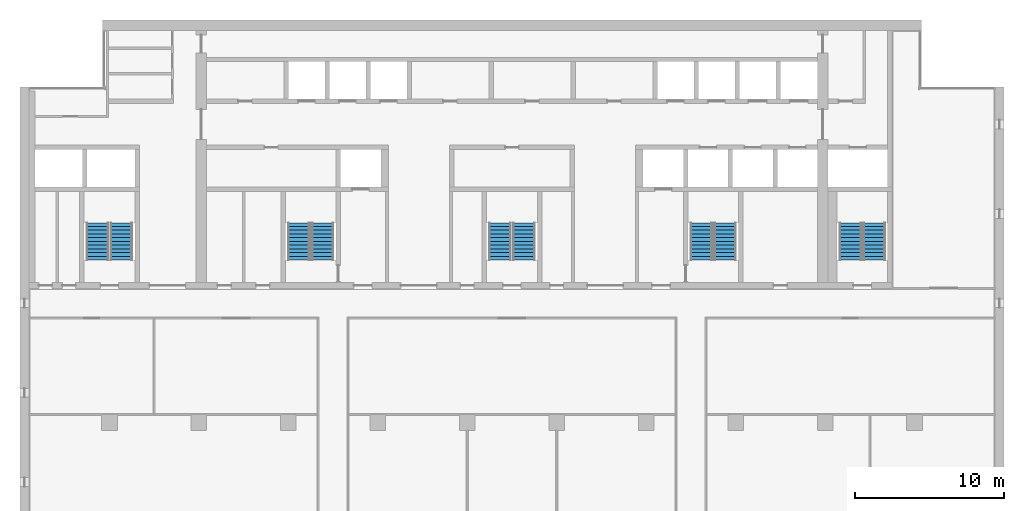
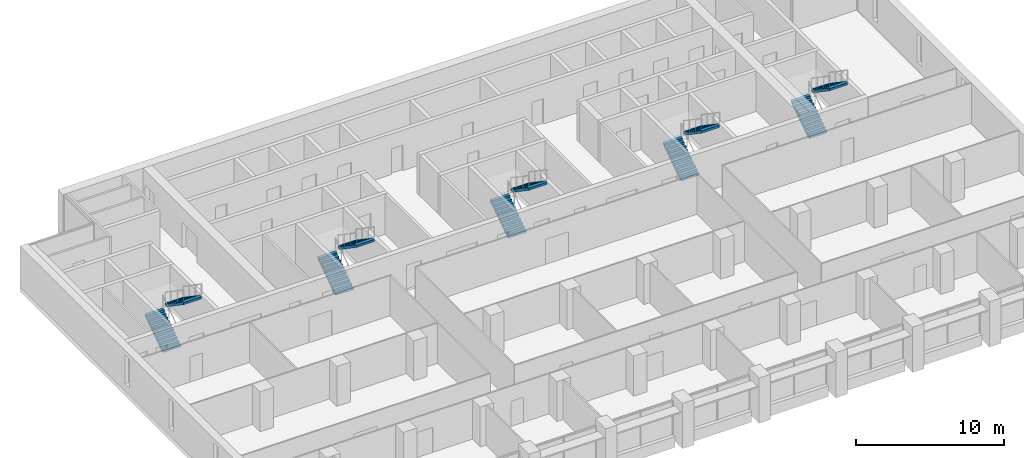
# One storey, part 13 of 17: 10 stair flights, 5 elements without a shape of their own.
"""IFC4 building model written with IfcOpenShell, lengths in metres."""

import ifcopenshell
import ifcopenshell.guid

model = None  # the IFC model being written
_history = None  # IfcOwnerHistory: only IFC2X3 demands one
_inside = {}  # id of a spatial element -> (the spatial element, [elements in it])
_under = {}  # id of a project, library or spatial element -> (it, [spatial elements below it])
_declared = {}  # id of a project -> (the project, [libraries it declares])
_typed = {}  # id of a type object -> (the type object, [elements of that type])
_made_of = {}  # id of a material, layer set ... -> (it, [elements and type objects made of it])


def new_model(schema):
    """Start an empty IFC model of exactly this schema.

    Asked for "IFC4X3", IfcOpenShell would pick the latest addendum, in which some entities
    have other attributes; the version numbers below select the first issue.
    IFC2X3 requires an IfcOwnerHistory on every rooted entity: one is made here for all.
    """
    global model, _history
    if schema == "IFC4X3":
        model = ifcopenshell.file(schema_version=(4, 3, 0, 0))
    else:
        model = ifcopenshell.file(schema=schema)
    _inside.clear()
    _under.clear()
    _declared.clear()
    _typed.clear()
    _made_of.clear()
    _history = None
    if model.schema == "IFC2X3":
        org = make("IfcOrganization", Name="unknown")
        user = make(
            "IfcPersonAndOrganization",
            ThePerson=make("IfcPerson", FamilyName="unknown"),
            TheOrganization=org,
        )
        app = make(
            "IfcApplication",
            ApplicationDeveloper=org,
            Version="unknown",
            ApplicationFullName="unknown",
            ApplicationIdentifier="unknown",
        )
        _history = make(
            "IfcOwnerHistory",
            OwningUser=user,
            OwningApplication=app,
            ChangeAction="ADDED",
            CreationDate=0,
        )
    return model


def make(cls, **values):
    """One entity of the class cls with the attributes given. An attribute that is None is left unset."""
    return model.create_entity(
        cls, **{name: value for name, value in values.items() if value is not None}
    )


def rooted(cls, **values):
    """An entity with a GlobalId (a new one), such as an element, a storey or a relation."""
    return make(cls, GlobalId=ifcopenshell.guid.new(), OwnerHistory=_history, **values)


def si_unit(unit_type, name, prefix=None):
    """IfcSIUnit, for example si_unit("LENGTHUNIT", "METRE", prefix="MILLI")."""
    return make("IfcSIUnit", UnitType=unit_type, Prefix=prefix, Name=name)


def assignment(units):
    """IfcUnitAssignment: the units of a project."""
    return None if units is None else make("IfcUnitAssignment", Units=units)


def point(xyz):
    """IfcCartesianPoint."""
    return None if xyz is None else make("IfcCartesianPoint", Coordinates=xyz)


def direction(xyz):
    """IfcDirection."""
    return None if xyz is None else make("IfcDirection", DirectionRatios=xyz)


def frame(location, z_axis=None, x_axis=None):
    """IfcAxis2Placement3D, a coordinate frame: its origin and axes. An axis left out is left unset."""
    return make(
        "IfcAxis2Placement3D",
        Location=point(location),
        Axis=direction(z_axis),
        RefDirection=direction(x_axis),
    )


def origin():
    """The frame at (0, 0, 0) with its axes left unset."""
    return frame((0.0, 0.0, 0.0))


def place(relative_to, where):
    """IfcLocalPlacement: puts the frame where relative to a parent placement (None: the world)."""
    return make(
        "IfcLocalPlacement", PlacementRelTo=relative_to, RelativePlacement=where
    )


def context(
    kind, dimensions, precision=None, world=None, true_north=None, identifier=None
):
    """IfcGeometricRepresentationContext, for example the 3D "Model" context."""
    return make(
        "IfcGeometricRepresentationContext",
        ContextIdentifier=identifier,
        ContextType=kind,
        CoordinateSpaceDimension=dimensions,
        Precision=precision,
        WorldCoordinateSystem=world,
        TrueNorth=true_north,
    )


def subcontext(parent, identifier, kind, view, scale=None):
    """IfcGeometricRepresentationSubContext, for example "Body" below "Model"."""
    return make(
        "IfcGeometricRepresentationSubContext",
        ContextIdentifier=identifier,
        ContextType=kind,
        ParentContext=parent,
        TargetScale=scale,
        TargetView=view,
    )


def project(units=None, contexts=None):
    """IfcProject with its units and contexts."""
    return rooted(
        "IfcProject",
        Name="project",
        RepresentationContexts=contexts,
        UnitsInContext=assignment(units),
    )


def spatial(cls, under=None, at=None, **own):
    """A site, building, storey or space (cls), placed at a placement, below another one or the project."""
    s = rooted(cls, ObjectPlacement=at, **own)
    if under is not None:
        _under.setdefault(under.id(), (under, []))[1].append(s)
    return s


def polyline(points):
    """IfcPolyline through the points."""
    return make("IfcPolyline", Points=[point(p) for p in points])


def outline(outer, holes=None, kind="AREA"):
    """IfcArbitraryClosedProfileDef: a profile drawn as a closed curve; with holes, ...WithVoids."""
    if holes is None:
        return make("IfcArbitraryClosedProfileDef", ProfileType=kind, OuterCurve=outer)
    return make(
        "IfcArbitraryProfileDefWithVoids",
        ProfileType=kind,
        OuterCurve=outer,
        InnerCurves=holes,
    )


def extrude(swept, where, along, depth):
    """IfcExtrudedAreaSolid: the profile swept, set in the frame where, extruded along a direction by depth."""
    return make(
        "IfcExtrudedAreaSolid",
        SweptArea=swept,
        Position=where,
        ExtrudedDirection=direction(along),
        Depth=depth,
    )


def shape(context_of_items, identifier, shape_type, items):
    """IfcShapeRepresentation: the items that make up one representation, for example the "Body"."""
    return make(
        "IfcShapeRepresentation",
        ContextOfItems=context_of_items,
        RepresentationIdentifier=identifier,
        RepresentationType=shape_type,
        Items=items,
    )


def material(Name=None, Category=None):
    """IfcMaterial."""
    return make("IfcMaterial", Name=Name, Category=Category)


def made_of(thing, what):
    """Note that an element or type object is made of a material, layer set ...; save() writes the relation."""
    if what is not None:
        _made_of.setdefault(what.id(), (what, []))[1].append(thing)
    return thing


def type_object(cls, material=None, **own):
    """A type object (cls), such as IfcWallType, which elements share."""
    return made_of(rooted(cls, **own), material)


def element(
    cls,
    number,
    at=None,
    inside=None,
    cuts=None,
    type_object=None,
    material=None,
    context=None,
    identifier="Body",
    shape_type=None,
    held_by="IfcProductDefinitionShape",
    body=None,
    shapes=None,
    **own,
):
    """One element of the class cls, such as IfcWall. Its Tag is "e" and its number.

    at: its placement. inside: the storey or other place that contains it. cuts: it is an
    opening in that element (IfcRelVoidsElement). A single representation is given by context,
    identifier, shape_type and body (its items); several are given by shapes. held_by: the class
    of the entity that holds the representations. save() writes the other relations.
    """
    e = rooted(cls, Tag="e%d" % number, ObjectPlacement=at, **own)
    if body is not None:
        shapes = [shape(context, identifier, shape_type, body)]
    if shapes is not None:
        e.Representation = make(held_by, Representations=shapes)
    if inside is not None:
        _inside.setdefault(inside.id(), (inside, []))[1].append(e)
    if cuts is not None:
        rooted(
            "IfcRelVoidsElement", RelatingBuildingElement=cuts, RelatedOpeningElement=e
        )
    if type_object is not None:
        _typed.setdefault(type_object.id(), (type_object, []))[1].append(e)
    return made_of(e, material)


def aggregate(whole, parts):
    """IfcRelAggregates: a whole, such as a stair, and the parts it consists of."""
    return rooted("IfcRelAggregates", RelatingObject=whole, RelatedObjects=parts)


def save(model, path):
    """Write the relations noted so far, then the file.

    IfcRelAggregates (storeys below a building ...), IfcRelContainedInSpatialStructure (elements
    in a storey), IfcRelDefinesByType, IfcRelAssociatesMaterial and IfcRelDeclares: one each for
    every whole, place, type object, material and project.
    """
    for whole, parts in _under.values():
        aggregate(whole, parts)
    for where, things in _inside.values():
        rooted(
            "IfcRelContainedInSpatialStructure",
            RelatedElements=things,
            RelatingStructure=where,
        )
    for kind, things in _typed.values():
        rooted("IfcRelDefinesByType", RelatedObjects=things, RelatingType=kind)
    for what, things in _made_of.values():
        rooted("IfcRelAssociatesMaterial", RelatedObjects=things, RelatingMaterial=what)
    for by, libraries in _declared.values():
        rooted("IfcRelDeclares", RelatingContext=by, RelatedDefinitions=libraries)
    model.write(path)


model = new_model("IFC4")

# Units and contexts
model_context = context("Model", 3, precision=1e-05, world=origin(), true_north=direction((0.0, 1.0)))
body_context = subcontext(model_context, "Body", "Model", "MODEL_VIEW")
ifc_project = project(units=[si_unit("LENGTHUNIT", "METRE"), si_unit("AREAUNIT", "SQUARE_METRE"), si_unit("VOLUMEUNIT", "CUBIC_METRE"), si_unit("PLANEANGLEUNIT", "RADIAN"), si_unit("MASSUNIT", "GRAM", prefix="KILO")], contexts=[model_context])

# Site, building, storey
site_placement = place(None, origin())
site = spatial("IfcSite", under=ifc_project, at=site_placement, CompositionType="ELEMENT")
building_placement = place(site_placement, origin())
building = spatial("IfcBuilding", under=site, at=building_placement, Name="Calvaro Tower", CompositionType="ELEMENT")
storey_placement = place(building_placement, frame((0.0, 0.0, 204.25)))
storey = spatial("IfcBuildingStorey", under=building, at=storey_placement, Name="L51", CompositionType="ELEMENT", Elevation=204.25)

# Stair, stair flights
ifc_material_1 = material(Name="Concrete C40/50", Category="concrete")
stair_type = type_object("IfcStairType", Name="Exit stair 1400 2 flights", PredefinedType="HALF_TURN_STAIR", material=ifc_material_1)
stair_1_placement = place(storey_placement, origin())
stair_1 = element("IfcStair", 1, at=stair_1_placement, inside=storey, type_object=stair_type, Name="Exit stair S1", PredefinedType="HALF_TURN_STAIR")
ifc_material_2 = material(Name="Concrete C40/50", Category="concrete")
stair_flight_type = type_object("IfcStairFlightType", Name="Stair flight", PredefinedType="STRAIGHT", material=ifc_material_2)
stair_flight_1_placement = place(storey_placement, frame((11.199951171875, 29.89990234375, 0.0), z_axis=(0.0, 0.0, 1.0), x_axis=(0.0, 1.0, 0.0)))
stair_flight_1 = element("IfcStairFlight", 2, at=stair_flight_1_placement, type_object=stair_flight_type, Name="Exit stair 1, flight 1", NumberOfRisers=11, NumberOfTreads=10, PredefinedType="STRAIGHT", RiserHeight=0.170454545, TreadLength=0.25, context=body_context, shape_type="SweptSolid", body=[
    extrude(outline(polyline([(0.0, 0.0), (0.0, 0.17041015625), (0.25, 0.17041015625), (0.25, 0.3408203125), (0.5, 0.3408203125), (0.5, 0.511474609375), (0.75, 0.511474609375), (0.75, 0.681884765625), (1.0, 0.681884765625), (1.0, 0.852294921875), (1.25, 0.852294921875), (1.25, 1.022705078125), (1.5, 1.022705078125), (1.5, 1.193115234375), (1.75, 1.193115234375), (1.75, 1.363525390625), (2.0, 1.363525390625), (2.0, 1.5341796875), (2.25, 1.5341796875), (2.25, 1.70458984375), (2.5, 1.70458984375), (2.5, 1.875), (2.5, 1.523193359375), (0.26611328125, 0.0), (0.0, 0.0)])), frame((0.0, 0.699951171875, 0.0), z_axis=(0.0, -1.0, 0.0), x_axis=(1.0, 0.0, 0.0)), (0.0, 0.0, 1.0), 1.39990234375),
])
stair_flight_2_placement = place(storey_placement, frame((12.800048828125, 32.39990234375, 1.875), z_axis=(0.0, 0.0, 1.0), x_axis=(0.0, -1.0, 0.0)))
stair_flight_2 = element("IfcStairFlight", 3, at=stair_flight_2_placement, type_object=stair_flight_type, Name="Exit stair 1, flight 2", NumberOfRisers=11, NumberOfTreads=10, PredefinedType="STRAIGHT", RiserHeight=0.170454545, TreadLength=0.25, context=body_context, shape_type="SweptSolid", body=[
    extrude(outline(polyline([(0.0, 0.0), (0.0, 0.17041015625), (0.25, 0.17041015625), (0.25, 0.3408203125), (0.5, 0.3408203125), (0.5, 0.511474609375), (0.75, 0.511474609375), (0.75, 0.681884765625), (1.0, 0.681884765625), (1.0, 0.852294921875), (1.25, 0.852294921875), (1.25, 1.022705078125), (1.5, 1.022705078125), (1.5, 1.193115234375), (1.75, 1.193115234375), (1.75, 1.363525390625), (2.0, 1.363525390625), (2.0, 1.5341796875), (2.25, 1.5341796875), (2.25, 1.70458984375), (2.5, 1.70458984375), (2.5, 1.875), (2.5, 1.523193359375), (0.26611328125, 0.0), (0.0, 0.0)])), frame((0.0, 0.699951171875, 0.0), z_axis=(0.0, -1.0, 0.0), x_axis=(1.0, 0.0, 0.0)), (0.0, 0.0, 1.0), 1.39990234375),
])
aggregate(stair_1, [stair_flight_1, stair_flight_2])

stair_2_placement = place(storey_placement, origin())
stair_2 = element("IfcStair", 4, at=stair_2_placement, inside=storey, type_object=stair_type, Name="Exit stair S2", PredefinedType="HALF_TURN_STAIR")
stair_flight_3_placement = place(storey_placement, frame((24.699951171875, 29.89990234375, 0.0), z_axis=(0.0, 0.0, 1.0), x_axis=(0.0, 1.0, 0.0)))
stair_flight_3 = element("IfcStairFlight", 5, at=stair_flight_3_placement, type_object=stair_flight_type, Name="Exit stair 2, flight 1", NumberOfRisers=11, NumberOfTreads=10, PredefinedType="STRAIGHT", RiserHeight=0.170454545, TreadLength=0.25, context=body_context, shape_type="SweptSolid", body=[
    extrude(outline(polyline([(0.0, 0.0), (0.0, 0.17041015625), (0.25, 0.17041015625), (0.25, 0.3408203125), (0.5, 0.3408203125), (0.5, 0.511474609375), (0.75, 0.511474609375), (0.75, 0.681884765625), (1.0, 0.681884765625), (1.0, 0.852294921875), (1.25, 0.852294921875), (1.25, 1.022705078125), (1.5, 1.022705078125), (1.5, 1.193115234375), (1.75, 1.193115234375), (1.75, 1.363525390625), (2.0, 1.363525390625), (2.0, 1.5341796875), (2.25, 1.5341796875), (2.25, 1.70458984375), (2.5, 1.70458984375), (2.5, 1.875), (2.5, 1.523193359375), (0.26611328125, 0.0), (0.0, 0.0)])), frame((0.0, 0.699951171875, 0.0), z_axis=(0.0, -1.0, 0.0), x_axis=(1.0, 0.0, 0.0)), (0.0, 0.0, 1.0), 1.39990234375),
])
stair_flight_4_placement = place(storey_placement, frame((26.300048828125, 32.39990234375, 1.875), z_axis=(0.0, 0.0, 1.0), x_axis=(0.0, -1.0, 0.0)))
stair_flight_4 = element("IfcStairFlight", 6, at=stair_flight_4_placement, type_object=stair_flight_type, Name="Exit stair 2, flight 2", NumberOfRisers=11, NumberOfTreads=10, PredefinedType="STRAIGHT", RiserHeight=0.170454545, TreadLength=0.25, context=body_context, shape_type="SweptSolid", body=[
    extrude(outline(polyline([(0.0, 0.0), (0.0, 0.17041015625), (0.25, 0.17041015625), (0.25, 0.3408203125), (0.5, 0.3408203125), (0.5, 0.511474609375), (0.75, 0.511474609375), (0.75, 0.681884765625), (1.0, 0.681884765625), (1.0, 0.852294921875), (1.25, 0.852294921875), (1.25, 1.022705078125), (1.5, 1.022705078125), (1.5, 1.193115234375), (1.75, 1.193115234375), (1.75, 1.363525390625), (2.0, 1.363525390625), (2.0, 1.5341796875), (2.25, 1.5341796875), (2.25, 1.70458984375), (2.5, 1.70458984375), (2.5, 1.875), (2.5, 1.523193359375), (0.26611328125, 0.0), (0.0, 0.0)])), frame((0.0, 0.699951171875, 0.0), z_axis=(0.0, -1.0, 0.0), x_axis=(1.0, 0.0, 0.0)), (0.0, 0.0, 1.0), 1.39990234375),
])
aggregate(stair_2, [stair_flight_3, stair_flight_4])

stair_3_placement = place(storey_placement, origin())
stair_3 = element("IfcStair", 7, at=stair_3_placement, inside=storey, type_object=stair_type, Name="Exit stair S3", PredefinedType="HALF_TURN_STAIR")
stair_flight_5_placement = place(storey_placement, frame((38.199951171875, 29.89990234375, 0.0), z_axis=(0.0, 0.0, 1.0), x_axis=(0.0, 1.0, 0.0)))
stair_flight_5 = element("IfcStairFlight", 8, at=stair_flight_5_placement, type_object=stair_flight_type, Name="Exit stair 3, flight 1", NumberOfRisers=11, NumberOfTreads=10, PredefinedType="STRAIGHT", RiserHeight=0.170454545, TreadLength=0.25, context=body_context, shape_type="SweptSolid", body=[
    extrude(outline(polyline([(0.0, 0.0), (0.0, 0.17041015625), (0.25, 0.17041015625), (0.25, 0.3408203125), (0.5, 0.3408203125), (0.5, 0.511474609375), (0.75, 0.511474609375), (0.75, 0.681884765625), (1.0, 0.681884765625), (1.0, 0.852294921875), (1.25, 0.852294921875), (1.25, 1.022705078125), (1.5, 1.022705078125), (1.5, 1.193115234375), (1.75, 1.193115234375), (1.75, 1.363525390625), (2.0, 1.363525390625), (2.0, 1.5341796875), (2.25, 1.5341796875), (2.25, 1.70458984375), (2.5, 1.70458984375), (2.5, 1.875), (2.5, 1.523193359375), (0.26611328125, 0.0), (0.0, 0.0)])), frame((0.0, 0.699951171875, 0.0), z_axis=(0.0, -1.0, 0.0), x_axis=(1.0, 0.0, 0.0)), (0.0, 0.0, 1.0), 1.39990234375),
])
stair_flight_6_placement = place(storey_placement, frame((39.800048828125, 32.39990234375, 1.875), z_axis=(0.0, 0.0, 1.0), x_axis=(0.0, -1.0, 0.0)))
stair_flight_6 = element("IfcStairFlight", 9, at=stair_flight_6_placement, type_object=stair_flight_type, Name="Exit stair 3, flight 2", NumberOfRisers=11, NumberOfTreads=10, PredefinedType="STRAIGHT", RiserHeight=0.170454545, TreadLength=0.25, context=body_context, shape_type="SweptSolid", body=[
    extrude(outline(polyline([(0.0, 0.0), (0.0, 0.17041015625), (0.25, 0.17041015625), (0.25, 0.3408203125), (0.5, 0.3408203125), (0.5, 0.511474609375), (0.75, 0.511474609375), (0.75, 0.681884765625), (1.0, 0.681884765625), (1.0, 0.852294921875), (1.25, 0.852294921875), (1.25, 1.022705078125), (1.5, 1.022705078125), (1.5, 1.193115234375), (1.75, 1.193115234375), (1.75, 1.363525390625), (2.0, 1.363525390625), (2.0, 1.5341796875), (2.25, 1.5341796875), (2.25, 1.70458984375), (2.5, 1.70458984375), (2.5, 1.875), (2.5, 1.523193359375), (0.26611328125, 0.0), (0.0, 0.0)])), frame((0.0, 0.699951171875, 0.0), z_axis=(0.0, -1.0, 0.0), x_axis=(1.0, 0.0, 0.0)), (0.0, 0.0, 1.0), 1.39990234375),
])
aggregate(stair_3, [stair_flight_5, stair_flight_6])

stair_4_placement = place(storey_placement, origin())
stair_4 = element("IfcStair", 10, at=stair_4_placement, inside=storey, type_object=stair_type, Name="Exit stair S4", PredefinedType="HALF_TURN_STAIR")
stair_flight_7_placement = place(storey_placement, frame((51.699951171875, 29.89990234375, 0.0), z_axis=(0.0, 0.0, 1.0), x_axis=(0.0, 1.0, 0.0)))
stair_flight_7 = element("IfcStairFlight", 11, at=stair_flight_7_placement, type_object=stair_flight_type, Name="Exit stair 4, flight 1", NumberOfRisers=11, NumberOfTreads=10, PredefinedType="STRAIGHT", RiserHeight=0.170454545, TreadLength=0.25, context=body_context, shape_type="SweptSolid", body=[
    extrude(outline(polyline([(0.0, 0.0), (0.0, 0.17041015625), (0.25, 0.17041015625), (0.25, 0.3408203125), (0.5, 0.3408203125), (0.5, 0.511474609375), (0.75, 0.511474609375), (0.75, 0.681884765625), (1.0, 0.681884765625), (1.0, 0.852294921875), (1.25, 0.852294921875), (1.25, 1.022705078125), (1.5, 1.022705078125), (1.5, 1.193115234375), (1.75, 1.193115234375), (1.75, 1.363525390625), (2.0, 1.363525390625), (2.0, 1.5341796875), (2.25, 1.5341796875), (2.25, 1.70458984375), (2.5, 1.70458984375), (2.5, 1.875), (2.5, 1.523193359375), (0.26611328125, 0.0), (0.0, 0.0)])), frame((0.0, 0.699951171875, 0.0), z_axis=(0.0, -1.0, 0.0), x_axis=(1.0, 0.0, 0.0)), (0.0, 0.0, 1.0), 1.39990234375),
])
stair_flight_8_placement = place(storey_placement, frame((53.300048828125, 32.39990234375, 1.875), z_axis=(0.0, 0.0, 1.0), x_axis=(0.0, -1.0, 0.0)))
stair_flight_8 = element("IfcStairFlight", 12, at=stair_flight_8_placement, type_object=stair_flight_type, Name="Exit stair 4, flight 2", NumberOfRisers=11, NumberOfTreads=10, PredefinedType="STRAIGHT", RiserHeight=0.170454545, TreadLength=0.25, context=body_context, shape_type="SweptSolid", body=[
    extrude(outline(polyline([(0.0, 0.0), (0.0, 0.17041015625), (0.25, 0.17041015625), (0.25, 0.3408203125), (0.5, 0.3408203125), (0.5, 0.511474609375), (0.75, 0.511474609375), (0.75, 0.681884765625), (1.0, 0.681884765625), (1.0, 0.852294921875), (1.25, 0.852294921875), (1.25, 1.022705078125), (1.5, 1.022705078125), (1.5, 1.193115234375), (1.75, 1.193115234375), (1.75, 1.363525390625), (2.0, 1.363525390625), (2.0, 1.5341796875), (2.25, 1.5341796875), (2.25, 1.70458984375), (2.5, 1.70458984375), (2.5, 1.875), (2.5, 1.523193359375), (0.26611328125, 0.0), (0.0, 0.0)])), frame((0.0, 0.699951171875, 0.0), z_axis=(0.0, -1.0, 0.0), x_axis=(1.0, 0.0, 0.0)), (0.0, 0.0, 1.0), 1.39990234375),
])
aggregate(stair_4, [stair_flight_7, stair_flight_8])

stair_5_placement = place(storey_placement, origin())
stair_5 = element("IfcStair", 13, at=stair_5_placement, inside=storey, type_object=stair_type, Name="Exit stair S5", PredefinedType="HALF_TURN_STAIR")
stair_flight_9_placement = place(storey_placement, frame((61.699951171875, 29.89990234375, 0.0), z_axis=(0.0, 0.0, 1.0), x_axis=(0.0, 1.0, 0.0)))
stair_flight_9 = element("IfcStairFlight", 14, at=stair_flight_9_placement, type_object=stair_flight_type, Name="Exit stair 5, flight 1", NumberOfRisers=11, NumberOfTreads=10, PredefinedType="STRAIGHT", RiserHeight=0.170454545, TreadLength=0.25, context=body_context, shape_type="SweptSolid", body=[
    extrude(outline(polyline([(0.0, 0.0), (0.0, 0.17041015625), (0.25, 0.17041015625), (0.25, 0.3408203125), (0.5, 0.3408203125), (0.5, 0.511474609375), (0.75, 0.511474609375), (0.75, 0.681884765625), (1.0, 0.681884765625), (1.0, 0.852294921875), (1.25, 0.852294921875), (1.25, 1.022705078125), (1.5, 1.022705078125), (1.5, 1.193115234375), (1.75, 1.193115234375), (1.75, 1.363525390625), (2.0, 1.363525390625), (2.0, 1.5341796875), (2.25, 1.5341796875), (2.25, 1.70458984375), (2.5, 1.70458984375), (2.5, 1.875), (2.5, 1.523193359375), (0.26611328125, 0.0), (0.0, 0.0)])), frame((0.0, 0.699951171875, 0.0), z_axis=(0.0, -1.0, 0.0), x_axis=(1.0, 0.0, 0.0)), (0.0, 0.0, 1.0), 1.39990234375),
])
stair_flight_10_placement = place(storey_placement, frame((63.300048828125, 32.39990234375, 1.875), z_axis=(0.0, 0.0, 1.0), x_axis=(0.0, -1.0, 0.0)))
stair_flight_10 = element("IfcStairFlight", 15, at=stair_flight_10_placement, type_object=stair_flight_type, Name="Exit stair 5, flight 2", NumberOfRisers=11, NumberOfTreads=10, PredefinedType="STRAIGHT", RiserHeight=0.170454545, TreadLength=0.25, context=body_context, shape_type="SweptSolid", body=[
    extrude(outline(polyline([(0.0, 0.0), (0.0, 0.17041015625), (0.25, 0.17041015625), (0.25, 0.3408203125), (0.5, 0.3408203125), (0.5, 0.511474609375), (0.75, 0.511474609375), (0.75, 0.681884765625), (1.0, 0.681884765625), (1.0, 0.852294921875), (1.25, 0.852294921875), (1.25, 1.022705078125), (1.5, 1.022705078125), (1.5, 1.193115234375), (1.75, 1.193115234375), (1.75, 1.363525390625), (2.0, 1.363525390625), (2.0, 1.5341796875), (2.25, 1.5341796875), (2.25, 1.70458984375), (2.5, 1.70458984375), (2.5, 1.875), (2.5, 1.523193359375), (0.26611328125, 0.0), (0.0, 0.0)])), frame((0.0, 0.699951171875, 0.0), z_axis=(0.0, -1.0, 0.0), x_axis=(1.0, 0.0, 0.0)), (0.0, 0.0, 1.0), 1.39990234375),
])
aggregate(stair_5, [stair_flight_9, stair_flight_10])

save(model, "model.ifc")
